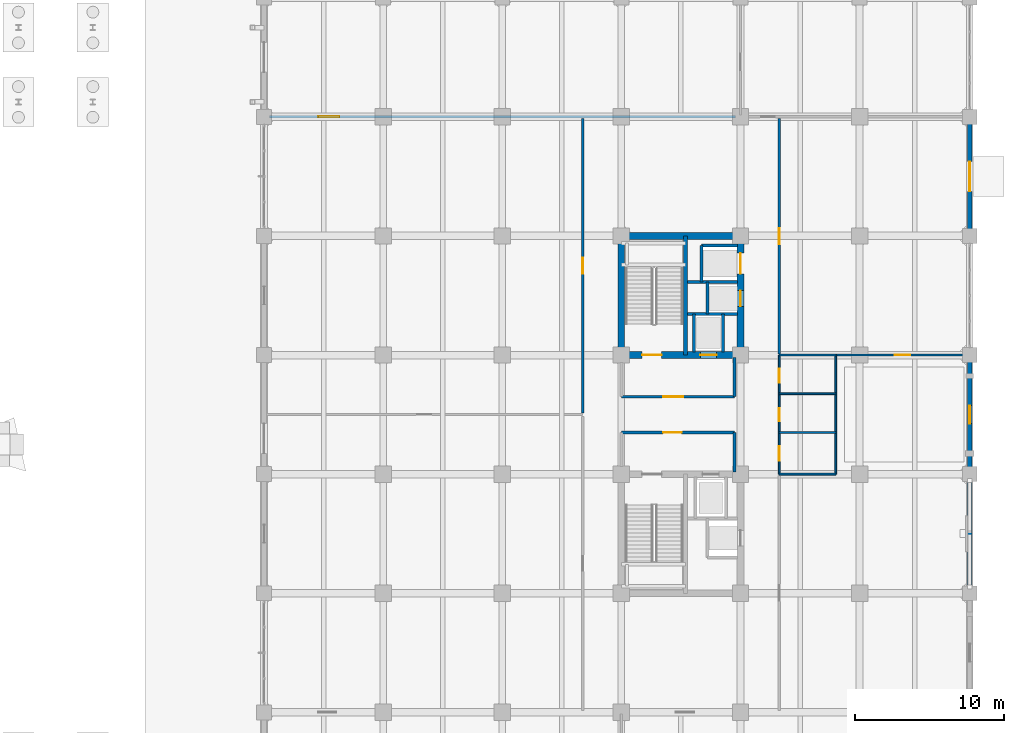
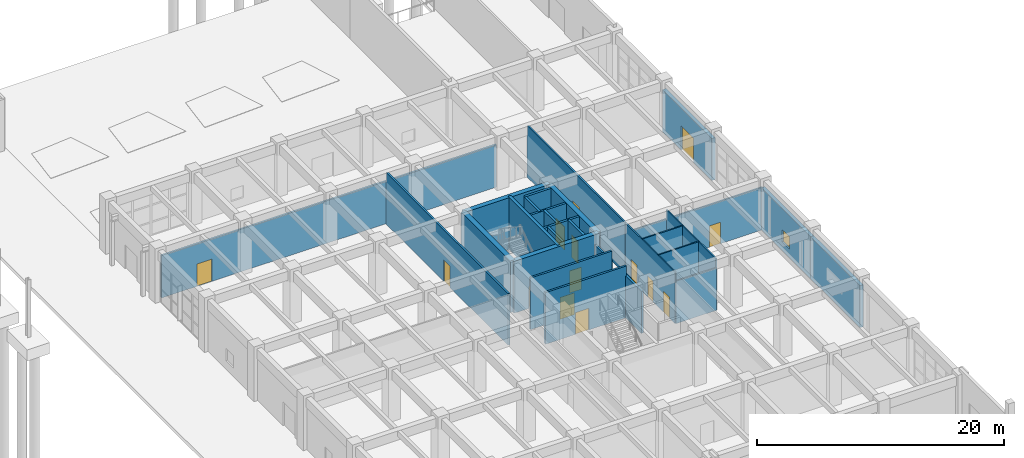
# One storey, part 77 of 90: 29 walls, 14 doors, 1 window, 15 openings.
"""IFC4 building model written with IfcOpenShell, lengths in metres."""

from ifc_helpers import new_model, si_unit, direction, frame, frame_2d, origin, place, context, subcontext, project, spatial, rectangle, extrude, material, layer, layer_set, type_object, element, fill, save


model = new_model("IFC4")

# Units and contexts
model_context = context("Model", 3, precision=1e-05, world=origin(), true_north=direction((0.0, 1.0)))
body_context = subcontext(model_context, "Body", "Model", "MODEL_VIEW")
ifc_project = project(units=[si_unit("LENGTHUNIT", "METRE"), si_unit("AREAUNIT", "SQUARE_METRE"), si_unit("VOLUMEUNIT", "CUBIC_METRE"), si_unit("PLANEANGLEUNIT", "RADIAN"), si_unit("MASSUNIT", "GRAM", prefix="KILO")], contexts=[model_context])

# Site, building, storey
site_placement = place(None, origin())
site = spatial("IfcSite", under=ifc_project, at=site_placement, CompositionType="ELEMENT")
building_placement = place(site_placement, origin())
building = spatial("IfcBuilding", under=site, at=building_placement, Name="Canggui Botanical Conservatory", CompositionType="ELEMENT")
storey_placement = place(building_placement, origin())
storey = spatial("IfcBuildingStorey", under=building, at=storey_placement, Name="L01", CompositionType="ELEMENT", Elevation=0.0)

# Wall, opening, door
ifc_material_1 = material(Name="Precast Concrete C40", Category="concrete")
ifc_layer_1 = layer(ifc_material_1, 0.320068359375, Name="Precast Concrete C40", Category="concrete")
ifc_layer_set_1 = layer_set([ifc_layer_1], Name="Precast Concrete C40")
wall_type_1 = type_object("IfcWallType", Name="EW-320", PredefinedType="STANDARD", material=ifc_layer_set_1)
wall_1_placement = place(storey_placement, frame((177.39990234375, 74.0, 0.0), z_axis=(0.0, 0.0, 1.0), x_axis=(0.0, -1.0, 0.0)))
wall_1 = element("IfcWall", 1, at=wall_1_placement, inside=storey, type_object=wall_type_1, Name="Tower Insulated Exterior Wall L01-E16", PredefinedType="STANDARD", context=body_context, shape_type="SweptSolid", body=[
    extrude(rectangle(XDim=8.0, YDim=0.320068359375, at=frame_2d((4.0, 0.0))), origin(), (0.0, 0.0, 1.0), 4.14990234375),
])
opening_1_placement = place(wall_1_placement, frame((3.0, 0.0, 0.0)))
opening_1 = element("IfcOpeningElement", 2, at=opening_1_placement, cuts=wall_1, Name="Opening EX-A", PredefinedType="OPENING", context=body_context, shape_type="SweptSolid", body=[
    extrude(rectangle(XDim=2.0, YDim=2.39990234375, at=frame_2d((1.0, 1.199951171875))), frame((0.0, 0.169921875, 0.0), z_axis=(0.0, -1.0, 0.0), x_axis=(1.0, 0.0, 0.0)), (0.0, 0.0, 1.0), 0.340087890625),
])
ifc_material_2 = material(Name="Anodised Aluminium", Category="aluminium")
door_type_1 = type_object("IfcDoorType", Name="EDR-EX20", OperationType="NOTDEFINED", PredefinedType="DOOR", material=ifc_material_2)
door_1_placement = place(opening_1_placement, origin())
door_1 = element("IfcDoor", 3, at=door_1_placement, inside=storey, type_object=door_type_1, Name="Tower Ground Pedestrian Exit Door EX-05", OperationType="DOUBLE_DOOR_SINGLE_SWING", OverallHeight=2.39990234375, OverallWidth=2.0, PredefinedType="DOOR", context=body_context, shape_type="SweptSolid", body=[
    extrude(rectangle(XDim=2.0, YDim=2.39990234375, at=frame_2d((1.0, 1.199951171875))), frame((0.0, 0.02490234375, 0.0), z_axis=(0.0, -1.0, 0.0), x_axis=(1.0, 0.0, 0.0)), (0.0, 0.0, 1.0), 0.050048828125),
])
fill(opening_1, door_1)

# Wall, opening, window
wall_2_placement = place(storey_placement, frame((177.39990234375, 58.0, 0.0), z_axis=(0.0, 0.0, 1.0), x_axis=(0.0, -1.0, 0.0)))
wall_2 = element("IfcWall", 4, at=wall_2_placement, inside=storey, type_object=wall_type_1, Name="Tower Insulated Exterior Wall L01-E18", PredefinedType="STANDARD", context=body_context, shape_type="SweptSolid", body=[
    extrude(rectangle(XDim=8.0, YDim=0.320068359375, at=frame_2d((4.0, 0.0))), origin(), (0.0, 0.0, 1.0), 4.14990234375),
])
opening_2_placement = place(wall_2_placement, frame((3.39990234375, 0.0, 0.85009765625)))
opening_2 = element("IfcOpeningElement", 5, at=opening_2_placement, cuts=wall_2, Name="Opening W-06", PredefinedType="OPENING", context=body_context, shape_type="SweptSolid", body=[
    extrude(rectangle(XDim=1.199951171875, YDim=1.199951171875, at=frame_2d((0.60009765625, 0.60009765625))), frame((0.0, 0.169921875, 0.0), z_axis=(0.0, -1.0, 0.0), x_axis=(1.0, 0.0, 0.0)), (0.0, 0.0, 1.0), 0.340087890625),
])
ifc_material_3 = material(Name="Low-E Insulated Glass", Category="glass")
window_type = type_object("IfcWindowType", Name="WIN-06", PartitioningType="SINGLE_PANEL", PredefinedType="WINDOW", material=ifc_material_3)
window_placement = place(opening_2_placement, origin())
window = element("IfcWindow", 6, at=window_placement, inside=storey, type_object=window_type, Name="Tower Firefighter Rescue Window L01-18", OverallHeight=1.199951171875, OverallWidth=1.199951171875, PartitioningType="SINGLE_PANEL", PredefinedType="WINDOW", context=body_context, shape_type="SweptSolid", body=[
    extrude(rectangle(XDim=1.199951171875, YDim=1.199951171875, at=frame_2d((0.60009765625, 0.60009765625))), frame((0.0, 0.030029296875, 0.0), z_axis=(0.0, -1.0, 0.0), x_axis=(1.0, 0.0, 0.0)), (0.0, 0.0, 1.0), 0.06005859375),
])
fill(opening_2, window)

# Wall
wall_3_placement = place(storey_placement, frame((177.39990234375, 50.0, 0.0), z_axis=(0.0, 0.0, 1.0), x_axis=(0.0, -1.0, 0.0)))
element("IfcWall", 7, at=wall_3_placement, inside=storey, type_object=wall_type_1, Name="Tower Insulated Exterior Wall L01-E19", PredefinedType="STANDARD", context=body_context, shape_type="SweptSolid", body=[
    extrude(rectangle(XDim=8.0, YDim=0.320068359375, at=frame_2d((4.0, 0.0))), origin(), (0.0, 0.0, 1.0), 4.14990234375),
])

# Wall, opening, door
ifc_material_4 = material(Name="Gypsum Plasterboard Partition")
ifc_layer_2 = layer(ifc_material_4, 0.175048828125, Name="Gypsum Plasterboard Partition")
ifc_layer_set_2 = layer_set([ifc_layer_2], Name="Gypsum Plasterboard Partition")
wall_type_2 = type_object("IfcWallType", Name="IW-CORR-175", PredefinedType="STANDARD", material=ifc_layer_set_2)
wall_4_placement = place(storey_placement, frame((151.39990234375, 54.1201171875, 0.0), z_axis=(0.0, 0.0, 1.0), x_axis=(0.0, 1.0, 0.0)))
wall_4 = element("IfcWall", 8, at=wall_4_placement, inside=storey, type_object=wall_type_2, Name="L01 Herbarium Public Orientation Gallery Corridor Wall", PredefinedType="STANDARD", context=body_context, shape_type="SweptSolid", body=[
    extrude(rectangle(XDim=19.759765625, YDim=0.175048828125, at=frame_2d((9.8798828125, 0.0))), origin(), (0.0, 0.0, 1.0), 5.10009765625),
])
opening_3_placement = place(wall_4_placement, frame((9.35498046875, 0.0, 0.0)))
opening_3 = element("IfcOpeningElement", 9, at=opening_3_placement, cuts=wall_4, Name="Opening FD-04", PredefinedType="OPENING", context=body_context, shape_type="SweptSolid", body=[
    extrude(rectangle(XDim=1.050048828125, YDim=2.10009765625, at=frame_2d((0.52490234375, 1.050048828125))), frame((0.0, 0.09765625, 0.0), z_axis=(0.0, -1.0, 0.0), x_axis=(1.0, 0.0, 0.0)), (0.0, 0.0, 1.0), 0.195068359375),
])
ifc_material_5 = material(Name="Powder-Coated Steel", Category="steel")
door_type_2 = type_object("IfcDoorType", Name="FD-04", OperationType="NOTDEFINED", PredefinedType="DOOR", material=ifc_material_5)
door_2_placement = place(opening_3_placement, origin())
door_2 = element("IfcDoor", 10, at=door_2_placement, inside=storey, type_object=door_type_2, Name="L01 Herbarium Public Orientation Gallery Entrance Door", OperationType="SINGLE_SWING_RIGHT", OverallHeight=2.10009765625, OverallWidth=1.050048828125, PredefinedType="DOOR", context=body_context, shape_type="SweptSolid", body=[
    extrude(rectangle(XDim=1.050048828125, YDim=2.10009765625, at=frame_2d((0.52490234375, 1.050048828125))), frame((0.0, 0.02490234375, 0.0), z_axis=(0.0, -1.0, 0.0), x_axis=(1.0, 0.0, 0.0)), (0.0, 0.0, 1.0), 0.050048828125),
])
fill(opening_3, door_2)

wall_5_placement = place(storey_placement, frame((130.35009765625, 74.0, 0.0), z_axis=(0.0, 0.0, 1.0), x_axis=(1.0, 0.0, 0.0)))
wall_5 = element("IfcWall", 11, at=wall_5_placement, inside=storey, type_object=wall_type_2, Name="L01 Specimen Receiving and Quarantine Prep Room North Suite Wall", PredefinedType="STANDARD", context=body_context, shape_type="SweptSolid", body=[
    extrude(rectangle(XDim=31.2998046875, YDim=0.175048828125, at=frame_2d((15.64990234375, 0.0))), origin(), (0.0, 0.0, 1.0), 4.199951171875),
])
opening_4_placement = place(wall_5_placement, frame((3.300048828125, 0.0, 0.0)))
opening_4 = element("IfcOpeningElement", 12, at=opening_4_placement, cuts=wall_5, Name="Opening FD-11", PredefinedType="OPENING", context=body_context, shape_type="SweptSolid", body=[
    extrude(rectangle(XDim=1.39990234375, YDim=2.199951171875, at=frame_2d((0.699951171875, 1.10009765625))), frame((0.0, 0.09765625, 0.0), z_axis=(0.0, -1.0, 0.0), x_axis=(1.0, 0.0, 0.0)), (0.0, 0.0, 1.0), 0.195068359375),
])
door_type_3 = type_object("IfcDoorType", Name="FD-11", OperationType="NOTDEFINED", PredefinedType="DOOR", material=ifc_material_5)
door_3_placement = place(opening_4_placement, origin())
door_3 = element("IfcDoor", 13, at=door_3_placement, inside=storey, type_object=door_type_3, Name="Interior Door IW-L01-NCOR-1", OperationType="SINGLE_SWING_LEFT", OverallHeight=2.199951171875, OverallWidth=1.39990234375, PredefinedType="DOOR", context=body_context, shape_type="SweptSolid", body=[
    extrude(rectangle(XDim=1.39990234375, YDim=2.199951171875, at=frame_2d((0.699951171875, 1.10009765625))), frame((0.0, 0.02490234375, 0.0), z_axis=(0.0, -1.0, 0.0), x_axis=(1.0, 0.0, 0.0)), (0.0, 0.0, 1.0), 0.050048828125),
])
fill(opening_4, door_3)

ifc_layer_3 = layer(ifc_material_4, 0.155029296875, Name="Gypsum Plasterboard Partition")
ifc_layer_set_3 = layer_set([ifc_layer_3], Name="Gypsum Plasterboard Partition")
wall_type_3 = type_object("IfcWallType", Name="IW-LAB-155", PredefinedType="STANDARD", material=ifc_layer_set_3)
wall_6_placement = place(storey_placement, frame((164.60009765625, 58.080078125, 0.0), z_axis=(0.0, 0.0, 1.0), x_axis=(0.0, 1.0, 0.0)))
wall_6 = element("IfcWall", 14, at=wall_6_placement, inside=storey, type_object=wall_type_3, Name="L01 Field Expedition Gear Store Lab Wall", PredefinedType="STANDARD", context=body_context, shape_type="SweptSolid", body=[
    extrude(rectangle(XDim=15.7998046875, YDim=0.155029296875, at=frame_2d((7.89990234375, 0.0))), origin(), (0.0, 0.0, 1.0), 5.10009765625),
])
opening_5_placement = place(wall_6_placement, frame((7.35009765625, 0.0, 0.0)))
opening_5 = element("IfcOpeningElement", 15, at=opening_5_placement, cuts=wall_6, Name="Opening FD-05", PredefinedType="OPENING", context=body_context, shape_type="SweptSolid", body=[
    extrude(rectangle(XDim=1.10009765625, YDim=2.10009765625, at=frame_2d((0.550048828125, 1.050048828125))), frame((0.0, 0.08740234375, 0.0), z_axis=(0.0, -1.0, 0.0), x_axis=(1.0, 0.0, 0.0)), (0.0, 0.0, 1.0), 0.175048828125),
])
door_type_4 = type_object("IfcDoorType", Name="FD-05", OperationType="NOTDEFINED", PredefinedType="DOOR", material=ifc_material_5)
door_4_placement = place(opening_5_placement, origin())
door_4 = element("IfcDoor", 16, at=door_4_placement, inside=storey, type_object=door_type_4, Name="Interior Door IW-L01-ECOR-2-1", OperationType="SINGLE_SWING_LEFT", OverallHeight=2.10009765625, OverallWidth=1.10009765625, PredefinedType="DOOR", context=body_context, shape_type="SweptSolid", body=[
    extrude(rectangle(XDim=1.10009765625, YDim=2.10009765625, at=frame_2d((0.550048828125, 1.050048828125))), frame((0.0, 0.02490234375, 0.0), z_axis=(0.0, -1.0, 0.0), x_axis=(1.0, 0.0, 0.0)), (0.0, 0.0, 1.0), 0.050048828125),
])
fill(opening_5, door_4)

ifc_material_6 = material(Name="Concrete C35", Category="concrete")
ifc_layer_4 = layer(ifc_material_6, 0.195068359375, Name="Concrete C35", Category="concrete")
ifc_layer_set_4 = layer_set([ifc_layer_4], Name="Concrete C35")
wall_type_4 = type_object("IfcWallType", Name="IW-LOBBY-195", PredefinedType="STANDARD", material=ifc_layer_set_4)
wall_7_placement = place(storey_placement, frame((154.0, 52.800048828125, 0.0), z_axis=(0.0, 0.0, 1.0), x_axis=(1.0, 0.0, 0.0)))
wall_7 = element("IfcWall", 17, at=wall_7_placement, inside=storey, type_object=wall_type_4, Name="L01 South Firefighting Lift Lobby North Wall", PredefinedType="STANDARD", context=body_context, shape_type="SweptSolid", body=[
    extrude(rectangle(XDim=7.60009765625, YDim=0.195068359375, at=frame_2d((3.800048828125, 0.0))), origin(), (0.0, 0.0, 1.0), 5.10009765625),
])
opening_6_placement = place(wall_7_placement, frame((2.800048828125, 0.0, 0.0)))
opening_6 = element("IfcOpeningElement", 18, at=opening_6_placement, cuts=wall_7, Name="Opening FD-08", PredefinedType="OPENING", context=body_context, shape_type="SweptSolid", body=[
    extrude(rectangle(XDim=1.25, YDim=2.14990234375, at=frame_2d((0.625, 1.074951171875))), frame((0.0, 0.107421875, 0.0), z_axis=(0.0, -1.0, 0.0), x_axis=(1.0, 0.0, 0.0)), (0.0, 0.0, 1.0), 0.215087890625),
])
door_type_5 = type_object("IfcDoorType", Name="FD-08", OperationType="NOTDEFINED", PredefinedType="DOOR", material=ifc_material_5)
door_5_placement = place(opening_6_placement, origin())
door_5 = element("IfcDoor", 19, at=door_5_placement, inside=storey, type_object=door_type_5, Name="L01 South Firefighting Lobby Fire Door", OperationType="SINGLE_SWING_LEFT", OverallHeight=2.14990234375, OverallWidth=1.25, PredefinedType="DOOR", context=body_context, shape_type="SweptSolid", body=[
    extrude(rectangle(XDim=1.25, YDim=2.14990234375, at=frame_2d((0.625, 1.074951171875))), frame((0.0, 0.02490234375, 0.0), z_axis=(0.0, -1.0, 0.0), x_axis=(1.0, 0.0, 0.0)), (0.0, 0.0, 1.0), 0.050048828125),
])
fill(opening_6, door_5)

# Wall
wall_8_placement = place(storey_placement, frame((161.60009765625, 50.14990234375, 0.0), z_axis=(0.0, 0.0, 1.0), x_axis=(0.0, 1.0, 0.0)))
element("IfcWall", 20, at=wall_8_placement, inside=storey, type_object=wall_type_4, Name="L01 South Firefighting Lift Lobby East Wall", PredefinedType="STANDARD", context=body_context, shape_type="SweptSolid", body=[
    extrude(rectangle(XDim=2.650146484375, YDim=0.195068359375, at=frame_2d((1.3251953125, 0.0))), origin(), (0.0, 0.0, 1.0), 4.14990234375),
])

# Wall, opening, door
wall_9_placement = place(storey_placement, frame((154.0, 55.199951171875, 0.0), z_axis=(0.0, 0.0, 1.0), x_axis=(1.0, 0.0, 0.0)))
wall_9 = element("IfcWall", 21, at=wall_9_placement, inside=storey, type_object=wall_type_4, Name="L01 North Firefighting Lift Lobby South Wall", PredefinedType="STANDARD", context=body_context, shape_type="SweptSolid", body=[
    extrude(rectangle(XDim=7.60009765625, YDim=0.195068359375, at=frame_2d((3.800048828125, 0.0))), origin(), (0.0, 0.0, 1.0), 5.10009765625),
])
opening_7_placement = place(wall_9_placement, frame((2.800048828125, 0.0, 0.0)))
opening_7 = element("IfcOpeningElement", 22, at=opening_7_placement, cuts=wall_9, Name="Opening FD-10", PredefinedType="OPENING", context=body_context, shape_type="SweptSolid", body=[
    extrude(rectangle(XDim=1.35009765625, YDim=2.14990234375, at=frame_2d((0.675048828125, 1.074951171875))), frame((0.0, 0.107421875, 0.0), z_axis=(0.0, -1.0, 0.0), x_axis=(1.0, 0.0, 0.0)), (0.0, 0.0, 1.0), 0.215087890625),
])
door_type_6 = type_object("IfcDoorType", Name="FD-10", OperationType="NOTDEFINED", PredefinedType="DOOR", material=ifc_material_5)
door_6_placement = place(opening_7_placement, origin())
door_6 = element("IfcDoor", 23, at=door_6_placement, inside=storey, type_object=door_type_6, Name="L01 North Firefighting Lobby Fire Door", OperationType="SINGLE_SWING_RIGHT", OverallHeight=2.14990234375, OverallWidth=1.35009765625, PredefinedType="DOOR", context=body_context, shape_type="SweptSolid", body=[
    extrude(rectangle(XDim=1.35009765625, YDim=2.14990234375, at=frame_2d((0.675048828125, 1.074951171875))), frame((0.0, 0.02490234375, 0.0), z_axis=(0.0, -1.0, 0.0), x_axis=(1.0, 0.0, 0.0)), (0.0, 0.0, 1.0), 0.050048828125),
])
fill(opening_7, door_6)

# Wall
wall_10_placement = place(storey_placement, frame((161.60009765625, 55.199951171875, 0.0), z_axis=(0.0, 0.0, 1.0), x_axis=(0.0, 1.0, 0.0)))
element("IfcWall", 24, at=wall_10_placement, inside=storey, type_object=wall_type_4, Name="L01 North Firefighting Lift Lobby East Wall", PredefinedType="STANDARD", context=body_context, shape_type="SweptSolid", body=[
    extrude(rectangle(XDim=2.650146484375, YDim=0.195068359375, at=frame_2d((1.3251953125, 0.0))), origin(), (0.0, 0.0, 1.0), 4.14990234375),
])

# Wall, opening, door
ifc_layer_5 = layer(ifc_material_4, 0.139892578125, Name="Gypsum Plasterboard Partition")
ifc_layer_set_5 = layer_set([ifc_layer_5], Name="Gypsum Plasterboard Partition")
wall_type_5 = type_object("IfcWallType", Name="IW-PART-140", PredefinedType="STANDARD", material=ifc_layer_set_5)
wall_11_placement = place(storey_placement, frame((168.39990234375, 58.0, 0.0), z_axis=(0.0, 0.0, 1.0), x_axis=(1.0, 0.0, 0.0)))
wall_11 = element("IfcWall", 25, at=wall_11_placement, inside=storey, type_object=wall_type_5, Name="L01 Botanical Curatorial Reference Room Subdivision Wall", PredefinedType="STANDARD", context=body_context, shape_type="SweptSolid", body=[
    extrude(rectangle(XDim=8.960205078125, YDim=0.139892578125, at=frame_2d((4.47998046875, 0.0))), origin(), (0.0, 0.0, 1.0), 4.199951171875),
])
opening_8_placement = place(wall_11_placement, frame((3.949951171875, 0.0, 0.0)))
opening_8 = element("IfcOpeningElement", 26, at=opening_8_placement, cuts=wall_11, Name="Opening ID-05", PredefinedType="OPENING", context=body_context, shape_type="SweptSolid", body=[
    extrude(rectangle(XDim=1.06005859375, YDim=2.1201171875, at=frame_2d((0.530029296875, 1.06005859375))), frame((0.0, 0.080078125, 0.0), z_axis=(0.0, -1.0, 0.0), x_axis=(1.0, 0.0, 0.0)), (0.0, 0.0, 1.0), 0.159912109375),
])
ifc_material_7 = material(Name="Engineered Timber Veneer", Category="wood")
door_type_7 = type_object("IfcDoorType", Name="ID-05", OperationType="NOTDEFINED", PredefinedType="DOOR", material=ifc_material_7)
door_7_placement = place(opening_8_placement, origin())
door_7 = element("IfcDoor", 27, at=door_7_placement, inside=storey, type_object=door_type_7, Name="Interior Door IW-L01-EDIV-1", OperationType="SINGLE_SWING_RIGHT", OverallHeight=2.1201171875, OverallWidth=1.06005859375, PredefinedType="DOOR", context=body_context, shape_type="SweptSolid", body=[
    extrude(rectangle(XDim=1.06005859375, YDim=2.1201171875, at=frame_2d((0.530029296875, 1.06005859375))), frame((0.0, 0.02490234375, 0.0), z_axis=(0.0, -1.0, 0.0), x_axis=(1.0, 0.0, 0.0)), (0.0, 0.0, 1.0), 0.050048828125),
])
fill(opening_8, door_7)

# Walls
ifc_layer_6 = layer(ifc_material_6, 0.215087890625, Name="Concrete C35", Category="concrete")
ifc_layer_set_6 = layer_set([ifc_layer_6], Name="Concrete C35")
wall_type_6 = type_object("IfcWallType", Name="IW-SHAFT-215", PredefinedType="STANDARD", material=ifc_layer_set_6)
wall_12_placement = place(storey_placement, frame((158.449951171875, 62.89990234375, 0.0), z_axis=(0.0, 0.0, 1.0), x_axis=(1.0, 0.0, 0.0)))
element("IfcWall", 28, at=wall_12_placement, inside=storey, type_object=wall_type_6, Name="Core T2 Goods Lift Shaft Divider L01", PredefinedType="STANDARD", context=body_context, shape_type="SweptSolid", body=[
    extrude(rectangle(XDim=3.35009765625, YDim=0.215087890625, at=frame_2d((1.675048828125, 0.0))), origin(), (0.0, 0.0, 1.0), 5.10009765625),
])
wall_13_placement = place(storey_placement, frame((160.820068359375, 58.199951171875, 0.0), z_axis=(0.0, 0.0, 1.0), x_axis=(0.0, 1.0, 0.0)))
element("IfcWall", 29, at=wall_13_placement, inside=storey, type_object=wall_type_6, Name="Core T2 Lift Bank Web L01", PredefinedType="STANDARD", context=body_context, shape_type="SweptSolid", body=[
    extrude(rectangle(XDim=2.550048828125, YDim=0.215087890625, at=frame_2d((1.27490234375, 0.0))), origin(), (0.0, 0.0, 1.0), 5.10009765625),
])
wall_14_placement = place(storey_placement, frame((159.3798828125, 62.89990234375, 0.0), z_axis=(0.0, 0.0, 1.0), x_axis=(0.0, 1.0, 0.0)))
element("IfcWall", 30, at=wall_14_placement, inside=storey, type_object=wall_type_6, Name="Core T2 GL-01 West Shaft Wall L01", PredefinedType="STANDARD", context=body_context, shape_type="SweptSolid", body=[
    extrude(rectangle(XDim=2.4501953125, YDim=0.215087890625, at=frame_2d((1.22509765625, 0.0))), origin(), (0.0, 0.0, 1.0), 5.10009765625),
])
wall_15_placement = place(storey_placement, frame((159.3798828125, 65.35009765625, 0.0), z_axis=(0.0, 0.0, 1.0), x_axis=(1.0, 0.0, 0.0)))
element("IfcWall", 31, at=wall_15_placement, inside=storey, type_object=wall_type_6, Name="Core T2 GL-01 North Shaft Wall L01", PredefinedType="STANDARD", context=body_context, shape_type="SweptSolid", body=[
    extrude(rectangle(XDim=2.420166015625, YDim=0.215087890625, at=frame_2d((1.2099609375, 0.0))), origin(), (0.0, 0.0, 1.0), 5.10009765625),
])
wall_16_placement = place(storey_placement, frame((158.449951171875, 60.75, 0.0), z_axis=(0.0, 0.0, 1.0), x_axis=(1.0, 0.0, 0.0)))
element("IfcWall", 32, at=wall_16_placement, inside=storey, type_object=wall_type_6, Name="Core T2 PL-02 South Shaft Wall L01", PredefinedType="STANDARD", context=body_context, shape_type="SweptSolid", body=[
    extrude(rectangle(XDim=3.35009765625, YDim=0.215087890625, at=frame_2d((1.675048828125, 0.0))), origin(), (0.0, 0.0, 1.0), 5.10009765625),
])
wall_17_placement = place(storey_placement, frame((159.780029296875, 60.75, 0.0), z_axis=(0.0, 0.0, 1.0), x_axis=(0.0, 1.0, 0.0)))
element("IfcWall", 33, at=wall_17_placement, inside=storey, type_object=wall_type_6, Name="Core T2 PL-02 West Shaft Wall L01", PredefinedType="STANDARD", context=body_context, shape_type="SweptSolid", body=[
    extrude(rectangle(XDim=2.14990234375, YDim=0.215087890625, at=frame_2d((1.074951171875, 0.0))), origin(), (0.0, 0.0, 1.0), 5.10009765625),
])
wall_18_placement = place(storey_placement, frame((158.8798828125, 58.199951171875, 0.0), z_axis=(0.0, 0.0, 1.0), x_axis=(0.0, 1.0, 0.0)))
element("IfcWall", 34, at=wall_18_placement, inside=storey, type_object=wall_type_6, Name="Core T2 FL-02 West Shaft Wall L01", PredefinedType="STANDARD", context=body_context, shape_type="SweptSolid", body=[
    extrude(rectangle(XDim=2.550048828125, YDim=0.215087890625, at=frame_2d((1.27490234375, 0.0))), origin(), (0.0, 0.0, 1.0), 5.10009765625),
])

# Wall, openings, doors
ifc_layer_7 = layer(ifc_material_4, 0.125, Name="Gypsum Plasterboard Partition")
ifc_layer_set_7 = layer_set([ifc_layer_7], Name="Gypsum Plasterboard Partition")
wall_type_7 = type_object("IfcWallType", Name="IW-WC-125", PredefinedType="STANDARD", material=ifc_layer_set_7)
wall_19_placement = place(storey_placement, frame((164.60009765625, 50.0, 0.0), z_axis=(0.0, 0.0, 1.0), x_axis=(0.0, 1.0, 0.0)))
wall_19 = element("IfcWall", 35, at=wall_19_placement, inside=storey, type_object=wall_type_7, Name="L01 Restroom Block Corridor Wall", PredefinedType="STANDARD", context=body_context, shape_type="SweptSolid", body=[
    extrude(rectangle(XDim=8.0, YDim=0.125, at=frame_2d((4.0, 0.0))), origin(), (0.0, 0.0, 1.0), 5.10009765625),
])
opening_9_placement = place(wall_19_placement, frame((0.89990234375, 0.0, 0.0)))
opening_9 = element("IfcOpeningElement", 36, at=opening_9_placement, cuts=wall_19, Name="Opening ID-03", PredefinedType="OPENING", context=body_context, shape_type="SweptSolid", body=[
    extrude(rectangle(XDim=0.9599609375, YDim=2.080078125, at=frame_2d((0.47998046875, 1.0400390625))), frame((0.0, 0.072509765625, 0.0), z_axis=(0.0, -1.0, 0.0), x_axis=(1.0, 0.0, 0.0)), (0.0, 0.0, 1.0), 0.14501953125),
])
opening_10_placement = place(wall_19_placement, frame((3.550048828125, 0.0, 0.0)))
opening_10 = element("IfcOpeningElement", 37, at=opening_10_placement, cuts=wall_19, Name="Opening ID-01", PredefinedType="OPENING", context=body_context, shape_type="SweptSolid", body=[
    extrude(rectangle(XDim=0.8798828125, YDim=2.050048828125, at=frame_2d((0.43994140625, 1.02490234375))), frame((0.0, 0.072509765625, 0.0), z_axis=(0.0, -1.0, 0.0), x_axis=(1.0, 0.0, 0.0)), (0.0, 0.0, 1.0), 0.14501953125),
])
opening_11_placement = place(wall_19_placement, frame((6.14990234375, 0.0, 0.0)))
opening_11 = element("IfcOpeningElement", 38, at=opening_11_placement, cuts=wall_19, Name="Opening ID-02", PredefinedType="OPENING", context=body_context, shape_type="SweptSolid", body=[
    extrude(rectangle(XDim=0.919921875, YDim=2.050048828125, at=frame_2d((0.4599609375, 1.02490234375))), frame((0.0, 0.072509765625, 0.0), z_axis=(0.0, -1.0, 0.0), x_axis=(1.0, 0.0, 0.0)), (0.0, 0.0, 1.0), 0.14501953125),
])
door_type_8 = type_object("IfcDoorType", Name="ID-01", OperationType="NOTDEFINED", PredefinedType="DOOR", material=ifc_material_7)
door_8_placement = place(opening_10_placement, origin())
door_8 = element("IfcDoor", 39, at=door_8_placement, inside=storey, type_object=door_type_8, Name="L01 Male WC Door", OperationType="SINGLE_SWING_RIGHT", OverallHeight=2.050048828125, OverallWidth=0.8798828125, PredefinedType="DOOR", context=body_context, shape_type="SweptSolid", body=[
    extrude(rectangle(XDim=0.8798828125, YDim=2.050048828125, at=frame_2d((0.43994140625, 1.02490234375))), frame((0.0, 0.02490234375, 0.0), z_axis=(0.0, -1.0, 0.0), x_axis=(1.0, 0.0, 0.0)), (0.0, 0.0, 1.0), 0.050048828125),
])
fill(opening_10, door_8)
door_type_9 = type_object("IfcDoorType", Name="ID-02", OperationType="NOTDEFINED", PredefinedType="DOOR", material=ifc_material_7)
door_9_placement = place(opening_11_placement, origin())
door_9 = element("IfcDoor", 40, at=door_9_placement, inside=storey, type_object=door_type_9, Name="L01 Female WC Door", OperationType="SINGLE_SWING_LEFT", OverallHeight=2.050048828125, OverallWidth=0.919921875, PredefinedType="DOOR", context=body_context, shape_type="SweptSolid", body=[
    extrude(rectangle(XDim=0.919921875, YDim=2.050048828125, at=frame_2d((0.4599609375, 1.02490234375))), frame((0.0, 0.02490234375, 0.0), z_axis=(0.0, -1.0, 0.0), x_axis=(1.0, 0.0, 0.0)), (0.0, 0.0, 1.0), 0.050048828125),
])
fill(opening_11, door_9)
door_type_10 = type_object("IfcDoorType", Name="ID-03", OperationType="NOTDEFINED", PredefinedType="DOOR", material=ifc_material_7)
door_10_placement = place(opening_9_placement, origin())
door_10 = element("IfcDoor", 41, at=door_10_placement, inside=storey, type_object=door_type_10, Name="L01 Accessible WC Door", OperationType="SINGLE_SWING_LEFT", OverallHeight=2.080078125, OverallWidth=0.9599609375, PredefinedType="DOOR", context=body_context, shape_type="SweptSolid", body=[
    extrude(rectangle(XDim=0.9599609375, YDim=2.080078125, at=frame_2d((0.47998046875, 1.0400390625))), frame((0.0, 0.02490234375, 0.0), z_axis=(0.0, -1.0, 0.0), x_axis=(1.0, 0.0, 0.0)), (0.0, 0.0, 1.0), 0.050048828125),
])
fill(opening_9, door_10)

# Walls
wall_20_placement = place(storey_placement, frame((168.39990234375, 50.0, 0.0), z_axis=(0.0, 0.0, 1.0), x_axis=(0.0, 1.0, 0.0)))
element("IfcWall", 42, at=wall_20_placement, inside=storey, type_object=wall_type_7, Name="L01 Restroom Block Back Wall", PredefinedType="STANDARD", context=body_context, shape_type="SweptSolid", body=[
    extrude(rectangle(XDim=8.0, YDim=0.125, at=frame_2d((4.0, 0.0))), origin(), (0.0, 0.0, 1.0), 5.10009765625),
])
wall_21_placement = place(storey_placement, frame((164.60009765625, 50.0, 0.0), z_axis=(0.0, 0.0, 1.0), x_axis=(1.0, 0.0, 0.0)))
element("IfcWall", 43, at=wall_21_placement, inside=storey, type_object=wall_type_7, Name="L01 Restroom Divider Y50.0", PredefinedType="STANDARD", context=body_context, shape_type="SweptSolid", body=[
    extrude(rectangle(XDim=3.7998046875, YDim=0.125, at=frame_2d((1.89990234375, 0.0))), origin(), (0.0, 0.0, 1.0), 4.199951171875),
])
for number, where, z_axis, x_axis, name in (
    (44, (164.60009765625, 52.800048828125, 0.0), (0.0, 0.0, 1.0), (1.0, 0.0, 0.0), "L01 Restroom Divider Y52.8"),
    (45, (164.60009765625, 55.39990234375, 0.0), (0.0, 0.0, 1.0), (1.0, 0.0, 0.0), "L01 Restroom Divider Y55.4"),
):
    element("IfcWall", number, at=place(storey_placement, frame(where, z_axis=z_axis, x_axis=x_axis)), inside=storey, type_object=wall_type_7, Name=name, PredefinedType="STANDARD", context=body_context, shape_type="SweptSolid", body=[
        extrude(rectangle(XDim=3.7998046875, YDim=0.125, at=frame_2d((1.89990234375, 0.0))), origin(), (0.0, 0.0, 1.0), 5.10009765625),
    ])
wall_22_placement = place(storey_placement, frame((164.60009765625, 58.0, 0.0), z_axis=(0.0, 0.0, 1.0), x_axis=(1.0, 0.0, 0.0)))
element("IfcWall", 46, at=wall_22_placement, inside=storey, type_object=wall_type_7, Name="L01 Restroom Divider Y58.0", PredefinedType="STANDARD", context=body_context, shape_type="SweptSolid", body=[
    extrude(rectangle(XDim=3.7998046875, YDim=0.125, at=frame_2d((1.89990234375, 0.0))), origin(), (0.0, 0.0, 1.0), 4.199951171875),
])
ifc_layer_8 = layer(ifc_material_6, 0.280029296875, Name="Concrete C35", Category="concrete")
ifc_layer_set_8 = layer_set([ifc_layer_8], Name="Concrete C35")
wall_type_8 = type_object("IfcWallType", Name="WALL-SH-280-C35", PredefinedType="SHEAR", material=ifc_layer_set_8)
wall_23_placement = place(storey_placement, frame((158.300048828125, 58.0, 0.0), z_axis=(0.0, 0.0, 1.0), x_axis=(0.0, 1.0, 0.0)))
element("IfcWall", 47, at=wall_23_placement, inside=storey, type_object=wall_type_8, Name="Core T2 Internal Shear Web L01", PredefinedType="SHEAR", context=body_context, shape_type="SweptSolid", body=[
    extrude(rectangle(XDim=8.0, YDim=0.280029296875, at=frame_2d((4.0, 0.0))), origin(), (0.0, 0.0, 1.0), 5.1201171875),
])

# Wall, openings, doors
ifc_material_8 = material(Name="Concrete C50", Category="concrete")
ifc_layer_9 = layer(ifc_material_8, 0.449951171875, Name="Concrete C50", Category="concrete")
ifc_layer_set_9 = layer_set([ifc_layer_9], Name="Concrete C50")
wall_type_9 = type_object("IfcWallType", Name="WALL-SH-450-C50", PredefinedType="SHEAR", material=ifc_layer_set_9)
wall_24_placement = place(storey_placement, frame((154.0, 58.0, 0.0), z_axis=(0.0, 0.0, 1.0), x_axis=(1.0, 0.0, 0.0)))
wall_24 = element("IfcWall", 48, at=wall_24_placement, inside=storey, type_object=wall_type_9, Name="Core T2 Shear Wall L01-S", PredefinedType="SHEAR", context=body_context, shape_type="SweptSolid", body=[
    extrude(rectangle(XDim=8.0, YDim=0.449951171875, at=frame_2d((4.0, 0.0))), origin(), (0.0, 0.0, 1.0), 5.1201171875),
])
opening_12_placement = place(wall_24_placement, frame((1.39990234375, 0.0, 0.0)))
opening_12 = element("IfcOpeningElement", 49, at=opening_12_placement, cuts=wall_24, Name="Opening FD-09", PredefinedType="OPENING", context=body_context, shape_type="SweptSolid", body=[
    extrude(rectangle(XDim=1.300048828125, YDim=2.14990234375, at=frame_2d((0.64990234375, 1.074951171875))), frame((0.0, 0.23486328125, 0.0), z_axis=(0.0, -1.0, 0.0), x_axis=(1.0, 0.0, 0.0)), (0.0, 0.0, 1.0), 0.469970703125),
])
opening_13_placement = place(wall_24_placement, frame((5.300048828125, 0.0, 0.0)))
opening_13 = element("IfcOpeningElement", 50, at=opening_13_placement, cuts=wall_24, Name="Opening LD-01", PredefinedType="OPENING", context=body_context, shape_type="SweptSolid", body=[
    extrude(rectangle(XDim=1.10009765625, YDim=2.199951171875, at=frame_2d((0.550048828125, 1.10009765625))), frame((0.0, 0.23486328125, 0.0), z_axis=(0.0, -1.0, 0.0), x_axis=(1.0, 0.0, 0.0)), (0.0, 0.0, 1.0), 0.469970703125),
])
door_type_11 = type_object("IfcDoorType", Name="FD-09", OperationType="NOTDEFINED", PredefinedType="DOOR", material=ifc_material_5)
door_11_placement = place(opening_12_placement, origin())
door_11 = element("IfcDoor", 51, at=door_11_placement, inside=storey, type_object=door_type_11, Name="Tower North Smoke-Proof Stair Door L01", OperationType="SINGLE_SWING_RIGHT", OverallHeight=2.14990234375, OverallWidth=1.300048828125, PredefinedType="DOOR", context=body_context, shape_type="SweptSolid", body=[
    extrude(rectangle(XDim=1.300048828125, YDim=2.14990234375, at=frame_2d((0.64990234375, 1.074951171875))), frame((0.0, 0.02490234375, 0.0), z_axis=(0.0, -1.0, 0.0), x_axis=(1.0, 0.0, 0.0)), (0.0, 0.0, 1.0), 0.050048828125),
])
fill(opening_12, door_11)
ifc_material_9 = material(Name="Stainless Steel 304", Category="steel")
door_type_12 = type_object("IfcDoorType", Name="LDR-01", OperationType="NOTDEFINED", PredefinedType="DOOR", material=ifc_material_9)
door_12_placement = place(opening_13_placement, origin())
door_12 = element("IfcDoor", 52, at=door_12_placement, inside=storey, type_object=door_type_12, Name="Firefighting Lift FL-02 Landing Door L01", OperationType="SLIDING_TO_RIGHT", OverallHeight=2.199951171875, OverallWidth=1.10009765625, PredefinedType="DOOR", context=body_context, shape_type="SweptSolid", body=[
    extrude(rectangle(XDim=1.10009765625, YDim=2.199951171875, at=frame_2d((0.550048828125, 1.10009765625))), frame((0.0, 0.02490234375, 0.0), z_axis=(0.0, -1.0, 0.0), x_axis=(1.0, 0.0, 0.0)), (0.0, 0.0, 1.0), 0.050048828125),
])
fill(opening_13, door_12)

wall_25_placement = place(storey_placement, frame((162.0, 58.0, 0.0), z_axis=(0.0, 0.0, 1.0), x_axis=(0.0, 1.0, 0.0)))
wall_25 = element("IfcWall", 53, at=wall_25_placement, inside=storey, type_object=wall_type_9, Name="Core T2 Shear Wall L01-E", PredefinedType="SHEAR", context=body_context, shape_type="SweptSolid", body=[
    extrude(rectangle(XDim=8.0, YDim=0.449951171875, at=frame_2d((4.0, 0.0))), origin(), (0.0, 0.0, 1.0), 5.1201171875),
])
opening_14_placement = place(wall_25_placement, frame((3.27490234375, 0.0, 0.0)))
opening_14 = element("IfcOpeningElement", 54, at=opening_14_placement, cuts=wall_25, Name="Opening LD-02", PredefinedType="OPENING", context=body_context, shape_type="SweptSolid", body=[
    extrude(rectangle(XDim=1.050048828125, YDim=2.199951171875, at=frame_2d((0.52490234375, 1.10009765625))), frame((0.0, 0.23486328125, 0.0), z_axis=(0.0, -1.0, 0.0), x_axis=(1.0, 0.0, 0.0)), (0.0, 0.0, 1.0), 0.469970703125),
])
opening_15_placement = place(wall_25_placement, frame((5.449951171875, 0.0, 0.0)))
opening_15 = element("IfcOpeningElement", 55, at=opening_15_placement, cuts=wall_25, Name="Opening LD-03", PredefinedType="OPENING", context=body_context, shape_type="SweptSolid", body=[
    extrude(rectangle(XDim=1.39990234375, YDim=2.300048828125, at=frame_2d((0.699951171875, 1.14990234375))), frame((0.0, 0.23486328125, 0.0), z_axis=(0.0, -1.0, 0.0), x_axis=(1.0, 0.0, 0.0)), (0.0, 0.0, 1.0), 0.469970703125),
])
door_type_13 = type_object("IfcDoorType", Name="LDR-02", OperationType="NOTDEFINED", PredefinedType="DOOR", material=ifc_material_9)
door_13_placement = place(opening_14_placement, origin())
door_13 = element("IfcDoor", 56, at=door_13_placement, inside=storey, type_object=door_type_13, Name="Passenger Lift PL-02 Landing Door L01", OperationType="SLIDING_TO_RIGHT", OverallHeight=2.199951171875, OverallWidth=1.050048828125, PredefinedType="DOOR", context=body_context, shape_type="SweptSolid", body=[
    extrude(rectangle(XDim=1.050048828125, YDim=2.199951171875, at=frame_2d((0.52490234375, 1.10009765625))), frame((0.0, 0.02490234375, 0.0), z_axis=(0.0, -1.0, 0.0), x_axis=(1.0, 0.0, 0.0)), (0.0, 0.0, 1.0), 0.050048828125),
])
fill(opening_14, door_13)
door_type_14 = type_object("IfcDoorType", Name="LDR-03", OperationType="NOTDEFINED", PredefinedType="DOOR", material=ifc_material_9)
door_14_placement = place(opening_15_placement, origin())
door_14 = element("IfcDoor", 57, at=door_14_placement, inside=storey, type_object=door_type_14, Name="Herbarium Goods Lift GL-01 Landing Door L01", OperationType="DOUBLE_DOOR_SLIDING", OverallHeight=2.300048828125, OverallWidth=1.39990234375, PredefinedType="DOOR", context=body_context, shape_type="SweptSolid", body=[
    extrude(rectangle(XDim=1.39990234375, YDim=2.300048828125, at=frame_2d((0.699951171875, 1.14990234375))), frame((0.0, 0.02490234375, 0.0), z_axis=(0.0, -1.0, 0.0), x_axis=(1.0, 0.0, 0.0)), (0.0, 0.0, 1.0), 0.050048828125),
])
fill(opening_15, door_14)

# Walls
for number, where, z_axis, x_axis, name in (
    (58, (162.0, 66.0, 0.0), (0.0, 0.0, 1.0), (-1.0, 0.0, 0.0), "Core T2 Shear Wall L01-N"),
    (59, (154.0, 66.0, 0.0), (0.0, 0.0, 1.0), (0.0, -1.0, 0.0), "Core T2 Shear Wall L01-W"),
):
    element("IfcWall", number, at=place(storey_placement, frame(where, z_axis=z_axis, x_axis=x_axis)), inside=storey, type_object=wall_type_9, Name=name, PredefinedType="SHEAR", context=body_context, shape_type="SweptSolid", body=[
        extrude(rectangle(XDim=8.0, YDim=0.449951171875, at=frame_2d((4.0, 0.0))), origin(), (0.0, 0.0, 1.0), 5.1201171875),
    ])

save(model, "model.ifc")
